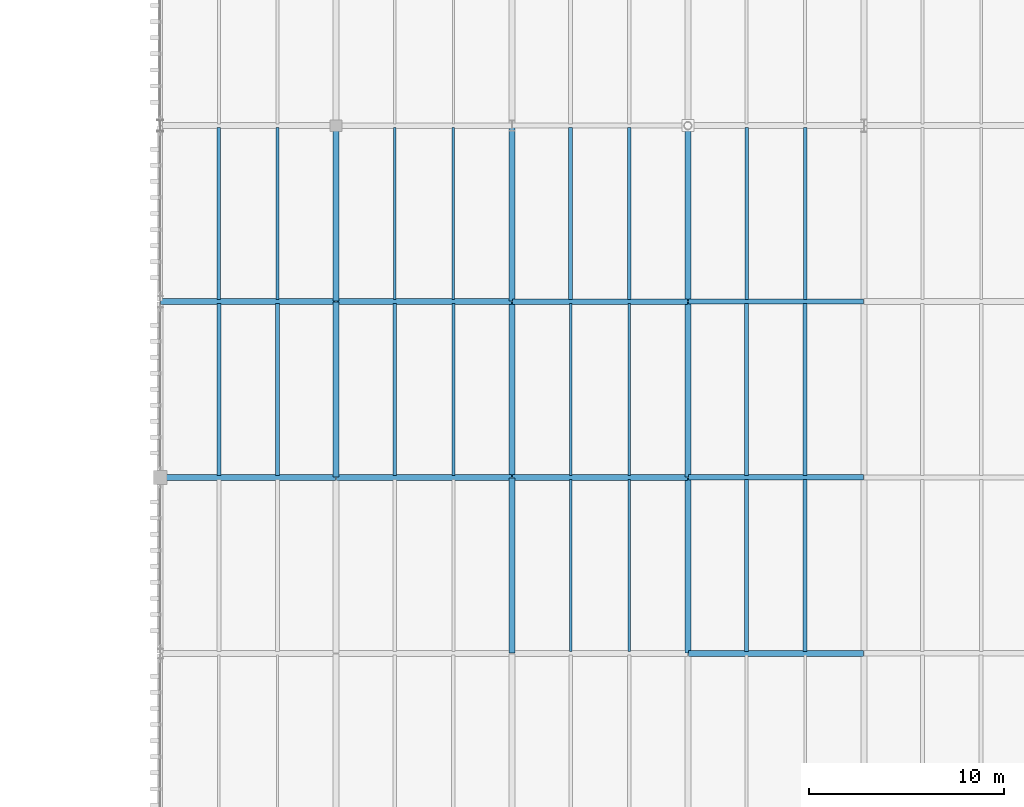
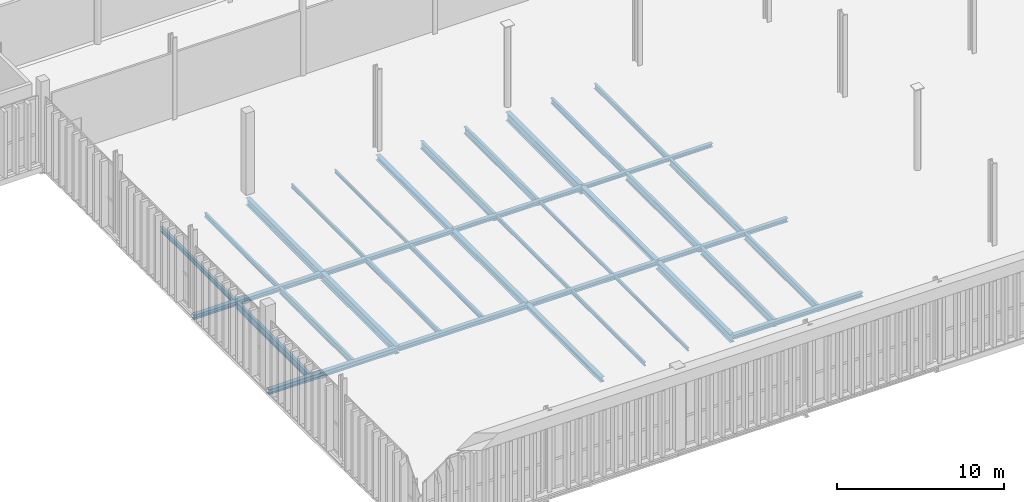
# One storey, part 115 of 237: 37 beams.
"""IFC4 building model written with IfcOpenShell, lengths in metres."""

from ifc_helpers import new_model, si_unit, direction, frame, origin, origin_2d, place, context, subcontext, project, spatial, i_section, extrude, material, material_profile, profile_set, type_object, element, save


model = new_model("IFC4")

# Units and contexts
model_context = context("Model", 3, precision=1e-05, world=origin(), true_north=direction((0.0, 1.0)))
body_context = subcontext(model_context, "Body", "Model", "MODEL_VIEW")
ifc_project = project(units=[si_unit("LENGTHUNIT", "METRE"), si_unit("AREAUNIT", "SQUARE_METRE"), si_unit("VOLUMEUNIT", "CUBIC_METRE"), si_unit("PLANEANGLEUNIT", "RADIAN"), si_unit("MASSUNIT", "GRAM", prefix="KILO")], contexts=[model_context])

# Site, building, storey
site_placement = place(None, origin())
site = spatial("IfcSite", under=ifc_project, at=site_placement, CompositionType="ELEMENT")
building_placement = place(site_placement, origin())
building = spatial("IfcBuilding", under=site, at=building_placement, Name="Barlavento Convention Centre", CompositionType="ELEMENT")
storey_placement = place(building_placement, frame((0.0, 0.0, 12.0)))
storey = spatial("IfcBuildingStorey", under=building, at=storey_placement, Name="L02", CompositionType="ELEMENT", Elevation=12.0)

# Beams
ifc_material = material(Name="Steel S355", Category="steel")
ifc_material_profile_1 = material_profile(ifc_material, i_section(OverallWidth=0.1201171875, OverallDepth=0.239990234375, WebThickness=0.006103515625, FlangeThickness=0.009765625, FilletRadius=0.014892578125, at=origin_2d()), Name="IPE 240")
ifc_profile_set_1 = profile_set([ifc_material_profile_1], Name="Steel S355")
beam_type_1 = type_object("IfcBeamType", Name="STR-BM-JST-IPE240", PredefinedType="JOIST", material=ifc_profile_set_1)
for number, where, z_axis, x_axis, name in (
    (1, (150.0, 9.094970703125, -0.489990234375), (0.0, 1.0, 0.0), (-1.0, 0.0, 0.0), "L02 composite floor joist SJ09"),
    (2, (150.0, 18.094970703125, -0.489990234375), (0.0, 1.0, 0.0), (-1.0, 0.0, 0.0), "L02 composite floor joist SJ09"),
    (3, (141.0, 27.094970703125, -0.489990234375), (0.0, 1.0, 0.0), (-1.0, 0.0, 0.0), "L02 composite floor joist SJ09"),
):
    element("IfcBeam", number, at=place(storey_placement, frame(where, z_axis=z_axis, x_axis=x_axis)), inside=storey, type_object=beam_type_1, Name=name, PredefinedType="JOIST", context=body_context, shape_type="SweptSolid", body=[
        extrude(i_section(OverallWidth=0.1201171875, OverallDepth=0.239990234375, WebThickness=0.006103515625, FlangeThickness=0.009765625, FilletRadius=0.014892578125, at=origin_2d()), origin(), (0.0, 0.0, 1.0), 8.81005859375),
    ])
ifc_material_profile_2 = material_profile(ifc_material, i_section(OverallWidth=0.135009765625, OverallDepth=0.27001953125, WebThickness=0.006591796875, FlangeThickness=0.01025390625, FilletRadius=0.014892578125, at=origin_2d()), Name="IPE 270")
ifc_profile_set_2 = profile_set([ifc_material_profile_2], Name="Steel S355")
beam_type_2 = type_object("IfcBeamType", Name="STR-BM-JST-IPE270", PredefinedType="JOIST", material=ifc_profile_set_2)
for number, where, z_axis, x_axis, name in (
    (4, (147.0, 9.094970703125, -0.5048828125), (0.0, 1.0, 0.0), (-1.0, 0.0, 0.0), "L02 composite floor joist SJ08"),
    (5, (147.0, 18.094970703125, -0.5048828125), (0.0, 1.0, 0.0), (-1.0, 0.0, 0.0), "L02 composite floor joist SJ08"),
    (6, (138.0, 27.094970703125, -0.5048828125), (0.0, 1.0, 0.0), (-1.0, 0.0, 0.0), "L02 composite floor joist SJ08"),
):
    element("IfcBeam", number, at=place(storey_placement, frame(where, z_axis=z_axis, x_axis=x_axis)), inside=storey, type_object=beam_type_2, Name=name, PredefinedType="JOIST", context=body_context, shape_type="SweptSolid", body=[
        extrude(i_section(OverallWidth=0.135009765625, OverallDepth=0.27001953125, WebThickness=0.006591796875, FlangeThickness=0.01025390625, FilletRadius=0.014892578125, at=origin_2d()), origin(), (0.0, 0.0, 1.0), 8.81005859375),
    ])
ifc_material_profile_3 = material_profile(ifc_material, i_section(OverallWidth=0.159912109375, OverallDepth=0.330078125, WebThickness=0.007568359375, FlangeThickness=0.011474609375, FilletRadius=0.01806640625, at=origin_2d()), Name="IPE 330")
ifc_profile_set_3 = profile_set([ifc_material_profile_3], Name="Steel S355")
beam_type_3 = type_object("IfcBeamType", Name="STR-BM-JST-IPE330", PredefinedType="JOIST", material=ifc_profile_set_3)
for number, where, z_axis, x_axis, name in (
    (7, (141.0, 18.094970703125, -0.534912109375), (0.0, 1.0, 0.0), (-1.0, 0.0, 0.0), "L02 composite floor joist SJ06"),
    (8, (132.0, 27.094970703125, -0.534912109375), (0.0, 1.0, 0.0), (-1.0, 0.0, 0.0), "L02 composite floor joist SJ06"),
):
    element("IfcBeam", number, at=place(storey_placement, frame(where, z_axis=z_axis, x_axis=x_axis)), inside=storey, type_object=beam_type_3, Name=name, PredefinedType="JOIST", context=body_context, shape_type="SweptSolid", body=[
        extrude(i_section(OverallWidth=0.159912109375, OverallDepth=0.330078125, WebThickness=0.007568359375, FlangeThickness=0.011474609375, FilletRadius=0.01806640625, at=origin_2d()), origin(), (0.0, 0.0, 1.0), 8.81005859375),
    ])
ifc_material_profile_4 = material_profile(ifc_material, i_section(OverallWidth=0.169921875, OverallDepth=0.360107421875, WebThickness=0.008056640625, FlangeThickness=0.0126953125, FilletRadius=0.01806640625, at=origin_2d()), Name="IPE 360")
ifc_profile_set_4 = profile_set([ifc_material_profile_4], Name="Steel S355")
beam_type_4 = type_object("IfcBeamType", Name="STR-BM-JST-IPE360", PredefinedType="JOIST", material=ifc_profile_set_4)
for number, where, z_axis, x_axis, name in (
    (9, (138.0, 18.094970703125, -0.550048828125), (0.0, 1.0, 0.0), (-1.0, 0.0, 0.0), "L02 composite floor joist SJ05"),
    (10, (129.0, 27.094970703125, -0.550048828125), (0.0, 1.0, 0.0), (-1.0, 0.0, 0.0), "L02 composite floor joist SJ05"),
    (11, (159.0, 27.094970703125, -0.550048828125), (0.0, 1.0, 0.0), (-1.0, 0.0, 0.0), "L02 composite floor joist SJ05"),
):
    element("IfcBeam", number, at=place(storey_placement, frame(where, z_axis=z_axis, x_axis=x_axis)), inside=storey, type_object=beam_type_4, Name=name, PredefinedType="JOIST", context=body_context, shape_type="SweptSolid", body=[
        extrude(i_section(OverallWidth=0.169921875, OverallDepth=0.360107421875, WebThickness=0.008056640625, FlangeThickness=0.0126953125, FilletRadius=0.01806640625, at=origin_2d()), origin(), (0.0, 0.0, 1.0), 8.81005859375),
    ])
ifc_material_profile_5 = material_profile(ifc_material, i_section(OverallWidth=0.179931640625, OverallDepth=0.39990234375, WebThickness=0.008544921875, FlangeThickness=0.013427734375, FilletRadius=0.02099609375, at=origin_2d()), Name="IPE 400")
ifc_profile_set_5 = profile_set([ifc_material_profile_5], Name="Steel S355")
beam_type_5 = type_object("IfcBeamType", Name="STR-BM-JST-IPE400", PredefinedType="JOIST", material=ifc_profile_set_5)
beam_1_placement = place(storey_placement, frame((156.0, 27.094970703125, -0.570068359375), z_axis=(0.0, 1.0, 0.0), x_axis=(-1.0, 0.0, 0.0)))
element("IfcBeam", 12, at=beam_1_placement, inside=storey, type_object=beam_type_5, Name="L02 composite floor joist SJ04", PredefinedType="JOIST", context=body_context, shape_type="SweptSolid", body=[
    extrude(i_section(OverallWidth=0.179931640625, OverallDepth=0.39990234375, WebThickness=0.008544921875, FlangeThickness=0.013427734375, FilletRadius=0.02099609375, at=origin_2d()), origin(), (0.0, 0.0, 1.0), 8.81005859375),
])
ifc_material_profile_6 = material_profile(ifc_material, i_section(OverallWidth=0.18994140625, OverallDepth=0.449951171875, WebThickness=0.009521484375, FlangeThickness=0.0146484375, FilletRadius=0.02099609375, at=origin_2d()), Name="IPE 450")
ifc_profile_set_6 = profile_set([ifc_material_profile_6], Name="Steel S355")
beam_type_6 = type_object("IfcBeamType", Name="STR-BM-JST-IPE450", PredefinedType="JOIST", material=ifc_profile_set_6)
beam_2_placement = place(storey_placement, frame((132.0, 18.094970703125, -0.594970703125), z_axis=(0.0, 1.0, 0.0), x_axis=(-1.0, 0.0, 0.0)))
element("IfcBeam", 13, at=beam_2_placement, inside=storey, type_object=beam_type_6, Name="L02 composite floor joist SJ03", PredefinedType="JOIST", context=body_context, shape_type="SweptSolid", body=[
    extrude(i_section(OverallWidth=0.18994140625, OverallDepth=0.449951171875, WebThickness=0.009521484375, FlangeThickness=0.0146484375, FilletRadius=0.02099609375, at=origin_2d()), origin(), (0.0, 0.0, 1.0), 8.81005859375),
])
ifc_material_profile_7 = material_profile(ifc_material, i_section(OverallWidth=0.199951171875, OverallDepth=0.5, WebThickness=0.01025390625, FlangeThickness=0.01611328125, FilletRadius=0.02099609375, at=origin_2d()), Name="IPE 500")
ifc_profile_set_7 = profile_set([ifc_material_profile_7], Name="Steel S355")
beam_type_7 = type_object("IfcBeamType", Name="STR-BM-JST-IPE500", PredefinedType="JOIST", material=ifc_profile_set_7)
for number, where, z_axis, x_axis, name in (
    (14, (159.0, 9.094970703125, -0.6201171875), (0.0, 1.0, 0.0), (-1.0, 0.0, 0.0), "L02 composite floor joist SJ02"),
    (15, (129.0, 18.094970703125, -0.6201171875), (0.0, 1.0, 0.0), (-1.0, 0.0, 0.0), "L02 composite floor joist SJ02"),
    (16, (159.0, 18.094970703125, -0.6201171875), (0.0, 1.0, 0.0), (-1.0, 0.0, 0.0), "L02 composite floor joist SJ02"),
    (17, (150.0, 27.094970703125, -0.6201171875), (0.0, 1.0, 0.0), (-1.0, 0.0, 0.0), "L02 composite floor joist SJ02"),
):
    element("IfcBeam", number, at=place(storey_placement, frame(where, z_axis=z_axis, x_axis=x_axis)), inside=storey, type_object=beam_type_7, Name=name, PredefinedType="JOIST", context=body_context, shape_type="SweptSolid", body=[
        extrude(i_section(OverallWidth=0.199951171875, OverallDepth=0.5, WebThickness=0.01025390625, FlangeThickness=0.01611328125, FilletRadius=0.02099609375, at=origin_2d()), origin(), (0.0, 0.0, 1.0), 8.81005859375),
    ])
ifc_material_profile_8 = material_profile(ifc_material, i_section(OverallWidth=0.2099609375, OverallDepth=0.550048828125, WebThickness=0.010986328125, FlangeThickness=0.01708984375, FilletRadius=0.02392578125, at=origin_2d()), Name="IPE 550")
ifc_profile_set_8 = profile_set([ifc_material_profile_8], Name="Steel S355")
beam_type_8 = type_object("IfcBeamType", Name="STR-BM-JST-IPE550", PredefinedType="JOIST", material=ifc_profile_set_8)
for number, where, z_axis, x_axis, name in (
    (18, (156.0, 9.094970703125, -0.64501953125), (0.0, 1.0, 0.0), (-1.0, 0.0, 0.0), "L02 composite floor joist SJ01"),
    (19, (156.0, 18.094970703125, -0.64501953125), (0.0, 1.0, 0.0), (-1.0, 0.0, 0.0), "L02 composite floor joist SJ01"),
    (20, (147.0, 27.094970703125, -0.64501953125), (0.0, 1.0, 0.0), (-1.0, 0.0, 0.0), "L02 composite floor joist SJ01"),
):
    element("IfcBeam", number, at=place(storey_placement, frame(where, z_axis=z_axis, x_axis=x_axis)), inside=storey, type_object=beam_type_8, Name=name, PredefinedType="JOIST", context=body_context, shape_type="SweptSolid", body=[
        extrude(i_section(OverallWidth=0.2099609375, OverallDepth=0.550048828125, WebThickness=0.010986328125, FlangeThickness=0.01708984375, FilletRadius=0.02392578125, at=origin_2d()), origin(), (0.0, 0.0, 1.0), 8.81005859375),
    ])
ifc_material_profile_9 = material_profile(ifc_material, i_section(OverallWidth=0.300048828125, OverallDepth=0.330078125, WebThickness=0.009521484375, FlangeThickness=0.0166015625, FilletRadius=0.027099609375, at=origin_2d()), Name="HEA 340")
ifc_profile_set_9 = profile_set([ifc_material_profile_9], Name="Steel S355")
beam_type_9 = type_object("IfcBeamType", Name="STR-BM-PRI-HEA340", PredefinedType="BEAM", material=ifc_profile_set_9)
beam_3_placement = place(storey_placement, frame((153.0, 18.02001953125, -0.534912109375), z_axis=(0.0, 1.0, 0.0), x_axis=(-1.0, 0.0, 0.0)))
element("IfcBeam", 21, at=beam_3_placement, inside=storey, type_object=beam_type_9, Name="L02 grid girder BG24", PredefinedType="BEAM", context=body_context, shape_type="SweptSolid", body=[
    extrude(i_section(OverallWidth=0.300048828125, OverallDepth=0.330078125, WebThickness=0.009521484375, FlangeThickness=0.0166015625, FilletRadius=0.027099609375, at=origin_2d()), origin(), (0.0, 0.0, 1.0), 8.9599609375),
])
ifc_material_profile_10 = material_profile(ifc_material, i_section(OverallWidth=0.300048828125, OverallDepth=0.35009765625, WebThickness=0.010009765625, FlangeThickness=0.017578125, FilletRadius=0.027099609375, at=origin_2d()), Name="HEA 360")
ifc_profile_set_10 = profile_set([ifc_material_profile_10], Name="Steel S355")
beam_type_10 = type_object("IfcBeamType", Name="STR-BM-PRI-HEA360", PredefinedType="BEAM", material=ifc_profile_set_10)
beam_4_placement = place(storey_placement, frame((144.0, 9.02001953125, -0.544921875), z_axis=(0.0, 1.0, 0.0), x_axis=(-1.0, 0.0, 0.0)))
element("IfcBeam", 22, at=beam_4_placement, inside=storey, type_object=beam_type_10, Name="L02 grid girder BG23", PredefinedType="BEAM", context=body_context, shape_type="SweptSolid", body=[
    extrude(i_section(OverallWidth=0.300048828125, OverallDepth=0.35009765625, WebThickness=0.010009765625, FlangeThickness=0.017578125, FilletRadius=0.027099609375, at=origin_2d()), origin(), (0.0, 0.0, 1.0), 8.9599609375),
])
ifc_material_profile_11 = material_profile(ifc_material, i_section(OverallWidth=0.300048828125, OverallDepth=0.389892578125, WebThickness=0.010986328125, FlangeThickness=0.01904296875, FilletRadius=0.027099609375, at=origin_2d()), Name="HEA 400")
ifc_profile_set_11 = profile_set([ifc_material_profile_11], Name="Steel S355")
beam_type_11 = type_object("IfcBeamType", Name="STR-BM-PRI-HEA400", PredefinedType="BEAM", material=ifc_profile_set_11)
beam_5_placement = place(storey_placement, frame((144.0, 27.02001953125, -0.56494140625), z_axis=(0.0, 1.0, 0.0), x_axis=(-1.0, 0.0, 0.0)))
element("IfcBeam", 23, at=beam_5_placement, inside=storey, type_object=beam_type_11, Name="L02 grid girder BG22", PredefinedType="BEAM", context=body_context, shape_type="SweptSolid", body=[
    extrude(i_section(OverallWidth=0.300048828125, OverallDepth=0.389892578125, WebThickness=0.010986328125, FlangeThickness=0.01904296875, FilletRadius=0.027099609375, at=origin_2d()), origin(), (0.0, 0.0, 1.0), 8.9599609375),
])
ifc_material_profile_12 = material_profile(ifc_material, i_section(OverallWidth=0.300048828125, OverallDepth=0.43994140625, WebThickness=0.011474609375, FlangeThickness=0.02099609375, FilletRadius=0.027099609375, at=origin_2d()), Name="HEA 450")
ifc_profile_set_12 = profile_set([ifc_material_profile_12], Name="Steel S355")
beam_type_12 = type_object("IfcBeamType", Name="STR-BM-PRI-HEA450", PredefinedType="BEAM", material=ifc_profile_set_12)
beam_6_placement = place(storey_placement, frame((144.0, 18.02001953125, -0.590087890625), z_axis=(0.0, 1.0, 0.0), x_axis=(-1.0, 0.0, 0.0)))
element("IfcBeam", 24, at=beam_6_placement, inside=storey, type_object=beam_type_12, Name="L02 grid girder BG21", PredefinedType="BEAM", context=body_context, shape_type="SweptSolid", body=[
    extrude(i_section(OverallWidth=0.300048828125, OverallDepth=0.43994140625, WebThickness=0.011474609375, FlangeThickness=0.02099609375, FilletRadius=0.027099609375, at=origin_2d()), origin(), (0.0, 0.0, 1.0), 8.9599609375),
])
ifc_material_profile_13 = material_profile(ifc_material, i_section(OverallWidth=0.300048828125, OverallDepth=0.5400390625, WebThickness=0.012451171875, FlangeThickness=0.02392578125, FilletRadius=0.027099609375, at=origin_2d()), Name="HEA 550")
ifc_profile_set_13 = profile_set([ifc_material_profile_13], Name="Steel S355")
beam_type_13 = type_object("IfcBeamType", Name="STR-BM-PRI-HEA550", PredefinedType="BEAM", material=ifc_profile_set_13)
beam_7_placement = place(storey_placement, frame((135.0, 27.02001953125, -0.639892578125), z_axis=(0.0, 1.0, 0.0), x_axis=(-1.0, 0.0, 0.0)))
element("IfcBeam", 25, at=beam_7_placement, inside=storey, type_object=beam_type_13, Name="L02 grid girder BG19", PredefinedType="BEAM", context=body_context, shape_type="SweptSolid", body=[
    extrude(i_section(OverallWidth=0.300048828125, OverallDepth=0.5400390625, WebThickness=0.012451171875, FlangeThickness=0.02392578125, FilletRadius=0.027099609375, at=origin_2d()), origin(), (0.0, 0.0, 1.0), 8.9599609375),
])
ifc_material_profile_14 = material_profile(ifc_material, i_section(OverallWidth=0.300048828125, OverallDepth=0.590087890625, WebThickness=0.012939453125, FlangeThickness=0.02490234375, FilletRadius=0.027099609375, at=origin_2d()), Name="HEA 600")
ifc_profile_set_14 = profile_set([ifc_material_profile_14], Name="Steel S355")
beam_type_14 = type_object("IfcBeamType", Name="STR-BM-PRI-HEA600", PredefinedType="BEAM", material=ifc_profile_set_14)
for number, where, z_axis, x_axis, name in (
    (26, (153.0, 9.02001953125, -0.6650390625), (0.0, 1.0, 0.0), (-1.0, 0.0, 0.0), "L02 grid girder BG18"),
    (27, (135.0, 18.02001953125, -0.6650390625), (0.0, 1.0, 0.0), (-1.0, 0.0, 0.0), "L02 grid girder BG18"),
):
    element("IfcBeam", number, at=place(storey_placement, frame(where, z_axis=z_axis, x_axis=x_axis)), inside=storey, type_object=beam_type_14, Name=name, PredefinedType="BEAM", context=body_context, shape_type="SweptSolid", body=[
        extrude(i_section(OverallWidth=0.300048828125, OverallDepth=0.590087890625, WebThickness=0.012939453125, FlangeThickness=0.02490234375, FilletRadius=0.027099609375, at=origin_2d()), origin(), (0.0, 0.0, 1.0), 8.9599609375),
    ])
ifc_material_profile_15 = material_profile(ifc_material, i_section(OverallWidth=0.300048828125, OverallDepth=0.639892578125, WebThickness=0.013427734375, FlangeThickness=0.02587890625, FilletRadius=0.027099609375, at=origin_2d()), Name="HEA 650")
ifc_profile_set_15 = profile_set([ifc_material_profile_15], Name="Steel S355")
beam_type_15 = type_object("IfcBeamType", Name="STR-BM-PRI-HEA650", PredefinedType="BEAM", material=ifc_profile_set_15)
beam_8_placement = place(storey_placement, frame((153.0, 27.02001953125, -0.68994140625), z_axis=(0.0, 1.0, 0.0), x_axis=(-1.0, 0.0, 0.0)))
element("IfcBeam", 28, at=beam_8_placement, inside=storey, type_object=beam_type_15, Name="L02 grid girder BG17", PredefinedType="BEAM", context=body_context, shape_type="SweptSolid", body=[
    extrude(i_section(OverallWidth=0.300048828125, OverallDepth=0.639892578125, WebThickness=0.013427734375, FlangeThickness=0.02587890625, FilletRadius=0.027099609375, at=origin_2d()), origin(), (0.0, 0.0, 1.0), 8.9599609375),
])
ifc_material_profile_16 = material_profile(ifc_material, i_section(OverallWidth=0.260009765625, OverallDepth=0.260009765625, WebThickness=0.010009765625, FlangeThickness=0.017578125, FilletRadius=0.02392578125, at=origin_2d()), Name="HEB 260")
ifc_profile_set_16 = profile_set([ifc_material_profile_16], Name="Steel S355")
beam_type_16 = type_object("IfcBeamType", Name="STR-BM-PRI-HEB260", PredefinedType="BEAM", material=ifc_profile_set_16)
beam_9_placement = place(storey_placement, frame((153.02001953125, 27.0, -0.5), z_axis=(1.0, 0.0, 0.0), x_axis=(0.0, 1.0, 0.0)))
element("IfcBeam", 29, at=beam_9_placement, inside=storey, type_object=beam_type_16, Name="L02 primary girder BG16", PredefinedType="BEAM", context=body_context, shape_type="SweptSolid", body=[
    extrude(i_section(OverallWidth=0.260009765625, OverallDepth=0.260009765625, WebThickness=0.010009765625, FlangeThickness=0.017578125, FilletRadius=0.02392578125, at=origin_2d()), origin(), (0.0, 0.0, 1.0), 8.9599609375),
])
ifc_material_profile_17 = material_profile(ifc_material, i_section(OverallWidth=0.280029296875, OverallDepth=0.280029296875, WebThickness=0.010498046875, FlangeThickness=0.01806640625, FilletRadius=0.02392578125, at=origin_2d()), Name="HEB 280")
ifc_profile_set_17 = profile_set([ifc_material_profile_17], Name="Steel S355")
beam_type_17 = type_object("IfcBeamType", Name="STR-BM-PRI-HEB280", PredefinedType="BEAM", material=ifc_profile_set_17)
for number, where, z_axis, x_axis, name in (
    (30, (153.02001953125, 18.0, -0.510009765625), (1.0, 0.0, 0.0), (0.0, 1.0, 0.0), "L02 primary girder BG15"),
    (31, (144.02001953125, 27.0, -0.510009765625), (1.0, 0.0, 0.0), (0.0, 1.0, 0.0), "L02 primary girder BG15"),
):
    element("IfcBeam", number, at=place(storey_placement, frame(where, z_axis=z_axis, x_axis=x_axis)), inside=storey, type_object=beam_type_17, Name=name, PredefinedType="BEAM", context=body_context, shape_type="SweptSolid", body=[
        extrude(i_section(OverallWidth=0.280029296875, OverallDepth=0.280029296875, WebThickness=0.010498046875, FlangeThickness=0.01806640625, FilletRadius=0.02392578125, at=origin_2d()), origin(), (0.0, 0.0, 1.0), 8.9599609375),
    ])
ifc_material_profile_18 = material_profile(ifc_material, i_section(OverallWidth=0.300048828125, OverallDepth=0.300048828125, WebThickness=0.010986328125, FlangeThickness=0.01904296875, FilletRadius=0.027099609375, at=origin_2d()), Name="HEB 300")
ifc_profile_set_18 = profile_set([ifc_material_profile_18], Name="Steel S355")
beam_type_18 = type_object("IfcBeamType", Name="STR-BM-PRI-HEB300", PredefinedType="BEAM", material=ifc_profile_set_18)
for number, where, z_axis, x_axis, name in (
    (32, (153.02001953125, 9.0, -0.52001953125), (1.0, 0.0, 0.0), (0.0, 1.0, 0.0), "L02 primary girder BG14"),
    (33, (144.02001953125, 18.0, -0.52001953125), (1.0, 0.0, 0.0), (0.0, 1.0, 0.0), "L02 primary girder BG14"),
    (34, (135.02001953125, 27.0, -0.52001953125), (1.0, 0.0, 0.0), (0.0, 1.0, 0.0), "L02 primary girder BG14"),
):
    element("IfcBeam", number, at=place(storey_placement, frame(where, z_axis=z_axis, x_axis=x_axis)), inside=storey, type_object=beam_type_18, Name=name, PredefinedType="BEAM", context=body_context, shape_type="SweptSolid", body=[
        extrude(i_section(OverallWidth=0.300048828125, OverallDepth=0.300048828125, WebThickness=0.010986328125, FlangeThickness=0.01904296875, FilletRadius=0.027099609375, at=origin_2d()), origin(), (0.0, 0.0, 1.0), 8.9599609375),
    ])
ifc_material_profile_19 = material_profile(ifc_material, i_section(OverallWidth=0.300048828125, OverallDepth=0.320068359375, WebThickness=0.011474609375, FlangeThickness=0.0205078125, FilletRadius=0.027099609375, at=origin_2d()), Name="HEB 320")
ifc_profile_set_19 = profile_set([ifc_material_profile_19], Name="Steel S355")
beam_type_19 = type_object("IfcBeamType", Name="STR-BM-PRI-HEB320", PredefinedType="BEAM", material=ifc_profile_set_19)
for number, where, z_axis, x_axis, name in (
    (35, (135.02001953125, 18.0, -0.530029296875), (1.0, 0.0, 0.0), (0.0, 1.0, 0.0), "L02 primary girder BG13"),
    (36, (126.02001953125, 27.0, -0.530029296875), (1.0, 0.0, 0.0), (0.0, 1.0, 0.0), "L02 primary girder BG13"),
):
    element("IfcBeam", number, at=place(storey_placement, frame(where, z_axis=z_axis, x_axis=x_axis)), inside=storey, type_object=beam_type_19, Name=name, PredefinedType="BEAM", context=body_context, shape_type="SweptSolid", body=[
        extrude(i_section(OverallWidth=0.300048828125, OverallDepth=0.320068359375, WebThickness=0.011474609375, FlangeThickness=0.0205078125, FilletRadius=0.027099609375, at=origin_2d()), origin(), (0.0, 0.0, 1.0), 8.9599609375),
    ])
ifc_material_profile_20 = material_profile(ifc_material, i_section(OverallWidth=0.300048828125, OverallDepth=0.360107421875, WebThickness=0.012451171875, FlangeThickness=0.0224609375, FilletRadius=0.027099609375, at=origin_2d()), Name="HEB 360")
ifc_profile_set_20 = profile_set([ifc_material_profile_20], Name="Steel S355")
beam_type_20 = type_object("IfcBeamType", Name="STR-BM-PRI-HEB360", PredefinedType="BEAM", material=ifc_profile_set_20)
beam_10_placement = place(storey_placement, frame((126.02001953125, 18.0, -0.550048828125), z_axis=(1.0, 0.0, 0.0), x_axis=(0.0, 1.0, 0.0)))
element("IfcBeam", 37, at=beam_10_placement, inside=storey, type_object=beam_type_20, Name="L02 primary girder BG12", PredefinedType="BEAM", context=body_context, shape_type="SweptSolid", body=[
    extrude(i_section(OverallWidth=0.300048828125, OverallDepth=0.360107421875, WebThickness=0.012451171875, FlangeThickness=0.0224609375, FilletRadius=0.027099609375, at=origin_2d()), origin(), (0.0, 0.0, 1.0), 8.9599609375),
])

save(model, "model.ifc")
